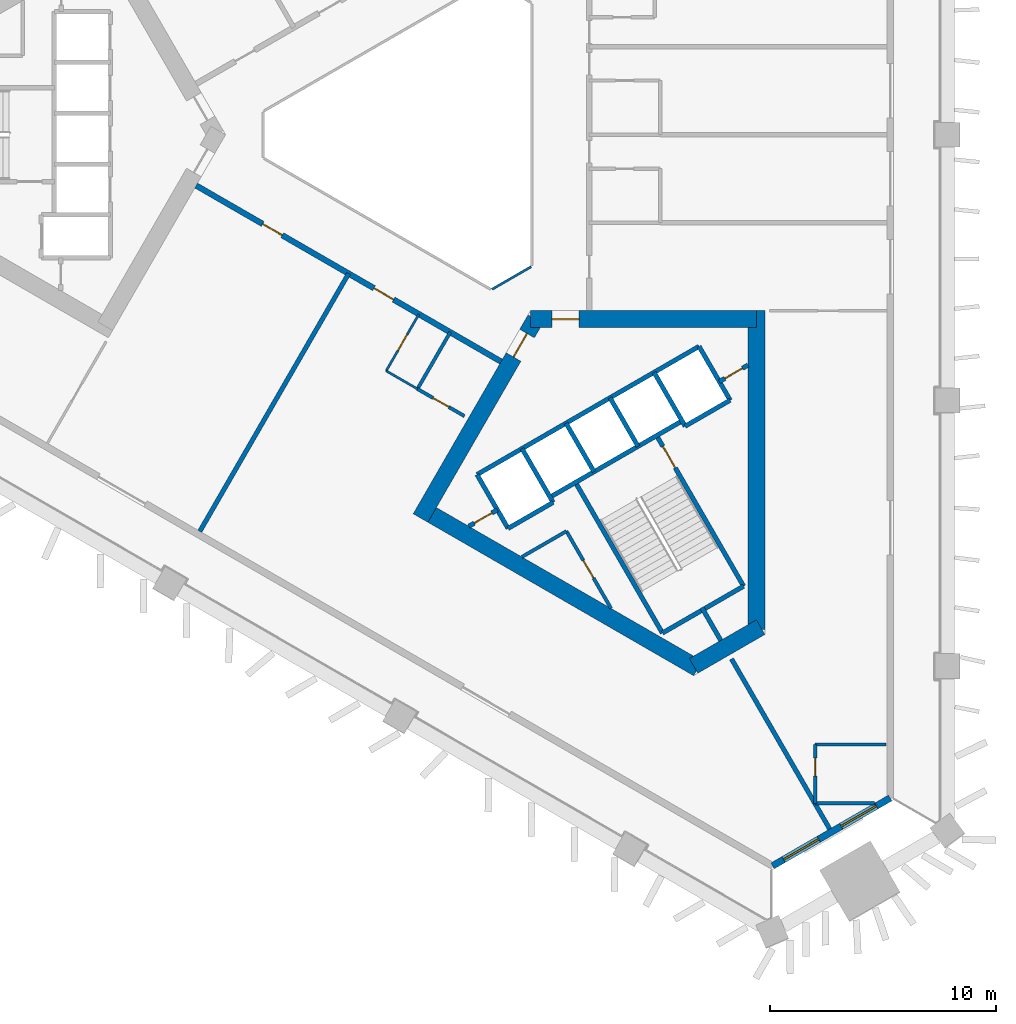
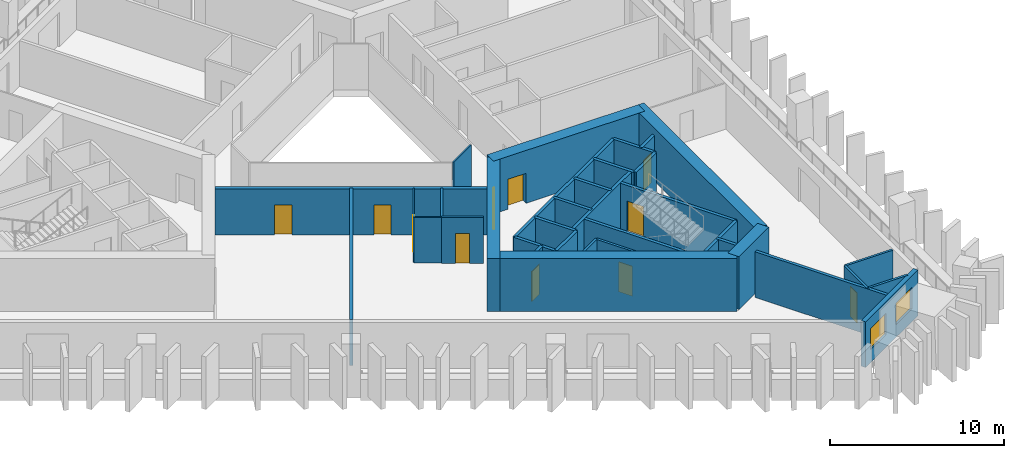
# One storey, part 3 of 11: 35 walls, 11 doors, 2 windows, 13 openings.
"""IFC4 building model written with IfcOpenShell, lengths in metres."""

from ifc_helpers import new_model, si_unit, direction, frame, frame_2d, origin, place, context, subcontext, project, spatial, rectangle, extrude, material, layer, layer_set, type_object, element, fill, save


model = new_model("IFC4")

# Units and contexts
model_context = context("Model", 3, precision=1e-05, world=origin(), true_north=direction((0.0, 1.0)))
body_context = subcontext(model_context, "Body", "Model", "MODEL_VIEW")
ifc_project = project(units=[si_unit("LENGTHUNIT", "METRE"), si_unit("AREAUNIT", "SQUARE_METRE"), si_unit("VOLUMEUNIT", "CUBIC_METRE"), si_unit("PLANEANGLEUNIT", "RADIAN"), si_unit("MASSUNIT", "GRAM", prefix="KILO")], contexts=[model_context])

# Site, building, storey
site_placement = place(None, origin())
site = spatial("IfcSite", under=ifc_project, at=site_placement, CompositionType="ELEMENT")
building_placement = place(site_placement, origin())
building = spatial("IfcBuilding", under=site, at=building_placement, Name="Jabali Bay Hotel Tower and Convention Centre", CompositionType="ELEMENT")
storey_placement = place(building_placement, frame((0.0, 0.0, 83.199951171875)))
storey = spatial("IfcBuildingStorey", under=building, at=storey_placement, Name="L19", CompositionType="ELEMENT", Elevation=83.199951171875)

# Walls
ifc_material_1 = material(Name="Fire-resistant glazing", Category="glass")
ifc_layer_1 = layer(ifc_material_1, 0.10009765625)
ifc_layer_set_1 = layer_set([ifc_layer_1], Name="Fire-resistant glazing")
wall_type_1 = type_object("IfcWallType", Name="Atrium glazed screen 100", PredefinedType="PARTITIONING", material=ifc_layer_set_1)
wall_1_placement = place(storey_placement, frame((77.7978515625, 73.15380859375, 0.0), z_axis=(0.0, 0.0, 1.0), x_axis=(0.866041268327, 0.499972520799, 0.0)))
element("IfcWall", 1, at=wall_1_placement, inside=storey, type_object=wall_type_1, Name="Atrium screen 6 L19", PredefinedType="PARTITIONING", context=body_context, shape_type="SweptSolid", body=[
    extrude(rectangle(XDim=2.0, YDim=0.10009765625, at=frame_2d((1.0, 0.0))), origin(), (0.0, 0.0, 1.0), 3.199951171875),
])
ifc_material_2 = material(Name="Concrete C40", Category="concrete")
ifc_layer_2 = layer(ifc_material_2, 0.199951171875)
ifc_layer_set_2 = layer_set([ifc_layer_2], Name="Concrete C40")
wall_type_2 = type_object("IfcWallType", Name="Core partition wall 200", PredefinedType="PARTITIONING", material=ifc_layer_set_2)
wall_2_placement = place(storey_placement, frame((87.090087890625, 59.0595703125, 0.0), z_axis=(0.0, 0.0, 1.0), x_axis=(0.499937194881, -0.866061661301, 0.0)))
element("IfcWall", 2, at=wall_2_placement, inside=storey, type_object=wall_type_2, Name="Core wall 2.5 L19", PredefinedType="PARTITIONING", context=body_context, shape_type="SweptSolid", body=[
    extrude(rectangle(XDim=1.673095703125, YDim=0.199951171875, at=frame_2d((0.83642578125, 0.0))), origin(), (0.0, 0.0, 1.0), 3.199951171875),
])

# Wall, opening, door
wall_3_placement = place(storey_placement, frame((76.77001953125, 62.662109375, 0.0), z_axis=(0.0, 0.0, 1.0), x_axis=(0.866054810376, 0.49994906283, 0.0)))
wall_3 = element("IfcWall", 3, at=wall_3_placement, inside=storey, type_object=wall_type_2, Name="Core wall 2.11 L19", PredefinedType="PARTITIONING", context=body_context, shape_type="SweptSolid", body=[
    extrude(rectangle(XDim=1.461181640625, YDim=0.199951171875, at=frame_2d((0.73046875, 0.0))), origin(), (0.0, 0.0, 1.0), 3.199951171875),
])
opening_1_placement = place(wall_3_placement, frame((0.280517578125, 0.0, 0.0)))
opening_1 = element("IfcOpeningElement", 4, at=opening_1_placement, cuts=wall_3, Name="Opening D471", PredefinedType="OPENING", context=body_context, shape_type="SweptSolid", body=[
    extrude(rectangle(XDim=0.89990234375, YDim=2.10009765625, at=frame_2d((0.449951171875, 1.050048828125))), frame((0.0, 0.1103515625, 0.0), z_axis=(0.0, -1.0, 0.0), x_axis=(1.0, 0.0, 0.0)), (0.0, 0.0, 1.0), 0.220947265625),
])
ifc_material_3 = material(Name="Fire-rated steel door", Category="steel")
door_type_1 = type_object("IfcDoorType", Name="Vestibule fire door 900 x 2100", OperationType="NOTDEFINED", PredefinedType="NOTDEFINED", material=ifc_material_3)
door_1_placement = place(opening_1_placement, origin())
door_1 = element("IfcDoor", 5, at=door_1_placement, inside=storey, type_object=door_type_1, Name="Vestibule fire door D471", OperationType="SINGLE_SWING_LEFT", OverallHeight=2.10009765625, OverallWidth=0.89990234375, PredefinedType="NOTDEFINED", context=body_context, shape_type="SweptSolid", body=[
    extrude(rectangle(XDim=0.89990234375, YDim=2.10009765625, at=frame_2d((0.449951171875, 1.050048828125))), frame((0.0, 0.02490234375, 0.0), z_axis=(0.0, -1.0, 0.0), x_axis=(1.0, 0.0, 0.0)), (0.0, 0.0, 1.0), 0.050048828125),
])
fill(opening_1, door_1)

wall_4_placement = place(storey_placement, frame((87.86474609375, 69.067626953125, 0.0), z_axis=(0.0, 0.0, 1.0), x_axis=(0.865982457891, 0.500074377092, 0.0)))
wall_4 = element("IfcWall", 6, at=wall_4_placement, inside=storey, type_object=wall_type_2, Name="Core wall 2.12 L19", PredefinedType="PARTITIONING", context=body_context, shape_type="SweptSolid", body=[
    extrude(rectangle(XDim=1.461181640625, YDim=0.199951171875, at=frame_2d((0.73046875, 0.0))), origin(), (0.0, 0.0, 1.0), 3.199951171875),
])
opening_2_placement = place(wall_4_placement, frame((0.280517578125, 0.0, 0.0)))
opening_2 = element("IfcOpeningElement", 7, at=opening_2_placement, cuts=wall_4, Name="Opening D470", PredefinedType="OPENING", context=body_context, shape_type="SweptSolid", body=[
    extrude(rectangle(XDim=0.89990234375, YDim=2.10009765625, at=frame_2d((0.449951171875, 1.050048828125))), frame((0.0, 0.1103515625, 0.0), z_axis=(0.0, -1.0, 0.0), x_axis=(1.0, 0.0, 0.0)), (0.0, 0.0, 1.0), 0.220947265625),
])
door_2_placement = place(opening_2_placement, origin())
door_2 = element("IfcDoor", 8, at=door_2_placement, inside=storey, type_object=door_type_1, Name="Vestibule fire door D470", OperationType="SINGLE_SWING_LEFT", OverallHeight=2.10009765625, OverallWidth=0.89990234375, PredefinedType="NOTDEFINED", context=body_context, shape_type="SweptSolid", body=[
    extrude(rectangle(XDim=0.89990234375, YDim=2.10009765625, at=frame_2d((0.449951171875, 1.050048828125))), frame((0.0, 0.02490234375, 0.0), z_axis=(0.0, -1.0, 0.0), x_axis=(1.0, 0.0, 0.0)), (0.0, 0.0, 1.0), 0.050048828125),
])
fill(opening_2, door_2)

ifc_material_4 = material(Name="Fire-rated board partition")
ifc_layer_3 = layer(ifc_material_4, 0.14990234375)
ifc_layer_set_3 = layer_set([ifc_layer_3], Name="Fire-rated board partition")
wall_type_3 = type_object("IfcWallType", Name="Core room partition 150", PredefinedType="PARTITIONING", material=ifc_layer_set_3)
wall_5_placement = place(storey_placement, frame((81.093994140625, 62.445068359375, 0.0), z_axis=(0.0, 0.0, 1.0), x_axis=(0.499990112884, -0.866031112038, 0.0)))
wall_5 = element("IfcWall", 9, at=wall_5_placement, inside=storey, type_object=wall_type_3, Name="Core wall 2.1 L19", PredefinedType="PARTITIONING", context=body_context, shape_type="SweptSolid", body=[
    extrude(rectangle(XDim=3.94775390625, YDim=0.14990234375, at=frame_2d((1.973876953125, 0.0))), origin(), (0.0, 0.0, 1.0), 3.199951171875),
])
opening_3_placement = place(wall_5_placement, frame((1.496337890625, 0.0, 0.0)))
opening_3 = element("IfcOpeningElement", 10, at=opening_3_placement, cuts=wall_5, Name="Opening D473", PredefinedType="OPENING", context=body_context, shape_type="SweptSolid", body=[
    extrude(rectangle(XDim=0.89990234375, YDim=2.10009765625, at=frame_2d((0.449951171875, 1.050048828125))), frame((0.0, 0.08544921875, 0.0), z_axis=(0.0, -1.0, 0.0), x_axis=(1.0, 0.0, 0.0)), (0.0, 0.0, 1.0), 0.1708984375),
])
door_type_2 = type_object("IfcDoorType", Name="Core room door 900 x 2100", OperationType="NOTDEFINED", PredefinedType="NOTDEFINED", material=ifc_material_3)
door_3_placement = place(opening_3_placement, origin())
door_3 = element("IfcDoor", 11, at=door_3_placement, inside=storey, type_object=door_type_2, Name="Core room door D473", OperationType="SINGLE_SWING_LEFT", OverallHeight=2.10009765625, OverallWidth=0.89990234375, PredefinedType="NOTDEFINED", context=body_context, shape_type="SweptSolid", body=[
    extrude(rectangle(XDim=0.89990234375, YDim=2.10009765625, at=frame_2d((0.449951171875, 1.050048828125))), frame((0.0, 0.02490234375, 0.0), z_axis=(0.0, -1.0, 0.0), x_axis=(1.0, 0.0, 0.0)), (0.0, 0.0, 1.0), 0.050048828125),
])
fill(opening_3, door_3)

# Walls
wall_6_placement = place(storey_placement, frame((79.119873046875, 61.305419921875, 0.0), z_axis=(0.0, 0.0, 1.0), x_axis=(0.866046471269, 0.499963508271, 0.0)))
element("IfcWall", 12, at=wall_6_placement, inside=storey, type_object=wall_type_3, Name="Core wall 2.16 L19", PredefinedType="PARTITIONING", context=body_context, shape_type="SweptSolid", body=[
    extrude(rectangle(XDim=2.279541015625, YDim=0.14990234375, at=frame_2d((1.1396484375, 0.0))), origin(), (0.0, 0.0, 1.0), 3.199951171875),
])
ifc_layer_4 = layer(ifc_material_2, 0.199951171875)
ifc_layer_set_4 = layer_set([ifc_layer_4], Name="Concrete C40")
wall_type_4 = type_object("IfcWallType", Name="Core stair wall 200", PredefinedType="SOLIDWALL", material=ifc_layer_set_4)
for number, where, z_axis, x_axis, name in (
    (13, (77.13525390625, 64.95166015625, 0.0), (0.0, 0.0, 1.0), (0.499996545922, -0.866027397988, 0.0), "Core wall 2.0 L19"),
    (14, (79.127197265625, 66.1015625, 0.0), (0.0, 0.0, 1.0), (0.499996545922, -0.866027397988, 0.0), "Core wall 2.2 L19"),
):
    element("IfcWall", number, at=place(storey_placement, frame(where, z_axis=z_axis, x_axis=x_axis)), inside=storey, type_object=wall_type_4, Name=name, PredefinedType="SOLIDWALL", context=body_context, shape_type="SweptSolid", body=[
        extrude(rectangle(XDim=2.75, YDim=0.199951171875, at=frame_2d((1.375, 0.0))), origin(), (0.0, 0.0, 1.0), 3.199951171875),
    ])
wall_7_placement = place(storey_placement, frame((81.492919921875, 64.603759765625, 0.0), z_axis=(0.0, 0.0, 1.0), x_axis=(0.500006057782, -0.866021906294, 0.0)))
element("IfcWall", 15, at=wall_7_placement, inside=storey, type_object=wall_type_4, Name="Core wall 2.3 L19", PredefinedType="SOLIDWALL", context=body_context, shape_type="SweptSolid", body=[
    extrude(rectangle(XDim=7.7001953125, YDim=0.199951171875, at=frame_2d((3.85009765625, 0.0))), origin(), (0.0, 0.0, 1.0), 3.199951171875),
])
for number, where, z_axis, x_axis, name in (
    (16, (81.07568359375, 67.2265625, 0.0), (0.0, 0.0, 1.0), (0.50000366821, -0.866023285932, 0.0), "Core wall 2.4 L19"),
    (17, (83.024169921875, 68.3515625, 0.0), (0.0, 0.0, 1.0), (0.50000366821, -0.866023285932, 0.0), "Core wall 2.6 L19"),
):
    element("IfcWall", number, at=place(storey_placement, frame(where, z_axis=z_axis, x_axis=x_axis)), inside=storey, type_object=wall_type_4, Name=name, PredefinedType="SOLIDWALL", context=body_context, shape_type="SweptSolid", body=[
        extrude(rectangle(XDim=2.47998046875, YDim=0.199951171875, at=frame_2d((1.239990234375, 0.0))), origin(), (0.0, 0.0, 1.0), 3.199951171875),
    ])

# Wall, opening, door
wall_8_placement = place(storey_placement, frame((85.0869140625, 66.6787109375, 0.0), z_axis=(0.0, 0.0, 1.0), x_axis=(0.500019787375, -0.866013979237, 0.0)))
wall_8 = element("IfcWall", 18, at=wall_8_placement, inside=storey, type_object=wall_type_4, Name="Core wall 2.7 L19", PredefinedType="SOLIDWALL", context=body_context, shape_type="SweptSolid", body=[
    extrude(rectangle(XDim=7.699951171875, YDim=0.199951171875, at=frame_2d((3.85009765625, 0.0))), origin(), (0.0, 0.0, 1.0), 3.199951171875),
])
opening_4_placement = place(wall_8_placement, frame((0.550048828125, 0.0, 0.0)))
opening_4 = element("IfcOpeningElement", 19, at=opening_4_placement, cuts=wall_8, Name="Opening D472", PredefinedType="OPENING", context=body_context, shape_type="SweptSolid", body=[
    extrude(rectangle(XDim=1.10009765625, YDim=2.10009765625, at=frame_2d((0.550048828125, 1.050048828125))), frame((0.0, 0.1103515625, 0.0), z_axis=(0.0, -1.0, 0.0), x_axis=(1.0, 0.0, 0.0)), (0.0, 0.0, 1.0), 0.220947265625),
])
door_type_3 = type_object("IfcDoorType", Name="Stair fire door 1100 x 2100", OperationType="NOTDEFINED", PredefinedType="NOTDEFINED", material=ifc_material_3)
door_4_placement = place(opening_4_placement, origin())
door_4 = element("IfcDoor", 20, at=door_4_placement, inside=storey, type_object=door_type_3, Name="Stair fire door D472", OperationType="SINGLE_SWING_RIGHT", OverallHeight=2.10009765625, OverallWidth=1.10009765625, PredefinedType="NOTDEFINED", context=body_context, shape_type="SweptSolid", body=[
    extrude(rectangle(XDim=1.10009765625, YDim=2.10009765625, at=frame_2d((0.550048828125, 1.050048828125))), frame((0.0, 0.02490234375, 0.0), z_axis=(0.0, -1.0, 0.0), x_axis=(1.0, 0.0, 0.0)), (0.0, 0.0, 1.0), 0.050048828125),
])
fill(opening_4, door_4)

# Walls
for number, where, z_axis, x_axis, name in (
    (21, (84.972900390625, 69.4765625, 0.0), (0.0, 0.0, 1.0), (0.499996545922, -0.866027397988, 0.0), "Core wall 2.8 L19"),
    (22, (86.964599609375, 70.62646484375, 0.0), (0.0, 0.0, 1.0), (0.499996545922, -0.866027397988, 0.0), "Core wall 2.9 L19"),
):
    element("IfcWall", number, at=place(storey_placement, frame(where, z_axis=z_axis, x_axis=x_axis)), inside=storey, type_object=wall_type_4, Name=name, PredefinedType="SOLIDWALL", context=body_context, shape_type="SweptSolid", body=[
        extrude(rectangle(XDim=2.75, YDim=0.199951171875, at=frame_2d((1.375, 0.0))), origin(), (0.0, 0.0, 1.0), 3.199951171875),
    ])
wall_9_placement = place(storey_placement, frame((77.13525390625, 64.95166015625, 0.0), z_axis=(0.0, 0.0, 1.0), x_axis=(0.866031916153, 0.499988720078, 0.0)))
element("IfcWall", 23, at=wall_9_placement, inside=storey, type_object=wall_type_4, Name="Core wall 2.10 L19", PredefinedType="SOLIDWALL", context=body_context, shape_type="SweptSolid", body=[
    extrude(rectangle(XDim=11.349853515625, YDim=0.199951171875, at=frame_2d((5.6748046875, 0.0))), origin(), (0.0, 0.0, 1.0), 3.199951171875),
])
wall_10_placement = place(storey_placement, frame((80.3671875, 63.953857421875, 0.0), z_axis=(0.0, 0.0, 1.0), x_axis=(0.866026575979, 0.499997969693, 0.0)))
element("IfcWall", 24, at=wall_10_placement, inside=storey, type_object=wall_type_4, Name="Core wall 2.13 L19", PredefinedType="SOLIDWALL", context=body_context, shape_type="SweptSolid", body=[
    extrude(rectangle(XDim=6.75, YDim=0.199951171875, at=frame_2d((3.375, 0.0))), origin(), (0.0, 0.0, 1.0), 3.199951171875),
])
wall_11_placement = place(storey_placement, frame((78.51025390625, 62.570068359375, 0.0), z_axis=(0.0, 0.0, 1.0), x_axis=(0.866053019151, 0.499952165731, 0.0)))
element("IfcWall", 25, at=wall_11_placement, inside=storey, type_object=wall_type_4, Name="Core wall 2.14 L19", PredefinedType="SOLIDWALL", context=body_context, shape_type="SweptSolid", body=[
    extrude(rectangle(XDim=2.300048828125, YDim=0.199951171875, at=frame_2d((1.14990234375, 0.0))), origin(), (0.0, 0.0, 1.0), 3.199951171875),
])
wall_12_placement = place(storey_placement, frame((86.347900390625, 67.094970703125, 0.0), z_axis=(0.0, 0.0, 1.0), x_axis=(0.86602648383, 0.499998129301, 0.0)))
element("IfcWall", 26, at=wall_12_placement, inside=storey, type_object=wall_type_4, Name="Core wall 2.15 L19", PredefinedType="SOLIDWALL", context=body_context, shape_type="SweptSolid", body=[
    extrude(rectangle(XDim=2.2998046875, YDim=0.199951171875, at=frame_2d((1.14990234375, 0.0))), origin(), (0.0, 0.0, 1.0), 3.199951171875),
])
wall_13_placement = place(storey_placement, frame((85.343017578125, 57.935302734375, 0.0), z_axis=(0.0, 0.0, 1.0), x_axis=(0.866004344652, 0.500036473714, 0.0)))
element("IfcWall", 27, at=wall_13_placement, inside=storey, type_object=wall_type_4, Name="Core wall 2.17 L19", PredefinedType="SOLIDWALL", context=body_context, shape_type="SweptSolid", body=[
    extrude(rectangle(XDim=4.150146484375, YDim=0.199951171875, at=frame_2d((2.0751953125, 0.0))), origin(), (0.0, 0.0, 1.0), 3.199951171875),
])

# Wall, opening, door
ifc_material_5 = material(Name="Concrete C60", Category="concrete")
ifc_layer_5 = layer(ifc_material_5, 0.75)
ifc_layer_set_5 = layer_set([ifc_layer_5], Name="Concrete C60")
wall_type_5 = type_object("IfcWallType", Name="Core wall 750", PredefinedType="SHEAR", material=ifc_layer_set_5)
wall_14_placement = place(storey_placement, frame((79.716552734375, 71.830810546875, 0.0), z_axis=(0.0, 0.0, 1.0), x_axis=(-0.499996230114, -0.866027580318, 0.0)))
wall_14 = element("IfcWall", 28, at=wall_14_placement, inside=storey, type_object=wall_type_5, Name="Core wall 3.1 L19", PredefinedType="SHEAR", context=body_context, shape_type="SweptSolid", body=[
    extrude(rectangle(XDim=10.16357421875, YDim=0.75, at=frame_2d((5.081787109375, 0.0))), origin(), (0.0, 0.0, 1.0), 3.699951171875),
])
opening_5_placement = place(wall_14_placement, frame((0.7333984375, 0.0, 0.0)))
opening_5 = element("IfcOpeningElement", 29, at=opening_5_placement, cuts=wall_14, Name="Opening D468", PredefinedType="OPENING", context=body_context, shape_type="SweptSolid", body=[
    extrude(rectangle(XDim=1.199951171875, YDim=2.10009765625, at=frame_2d((0.60009765625, 1.050048828125))), frame((0.0, 0.385498046875, 0.0), z_axis=(0.0, -1.0, 0.0), x_axis=(1.0, 0.0, 0.0)), (0.0, 0.0, 1.0), 0.77099609375),
])
door_type_4 = type_object("IfcDoorType", Name="Corridor end fire door 1200 x 2100", OperationType="NOTDEFINED", PredefinedType="NOTDEFINED", material=ifc_material_3)
door_5_placement = place(opening_5_placement, origin())
door_5 = element("IfcDoor", 30, at=door_5_placement, inside=storey, type_object=door_type_4, Name="Corridor end fire door D468", OperationType="SINGLE_SWING_RIGHT", OverallHeight=2.10009765625, OverallWidth=1.199951171875, PredefinedType="NOTDEFINED", context=body_context, shape_type="SweptSolid", body=[
    extrude(rectangle(XDim=1.199951171875, YDim=2.10009765625, at=frame_2d((0.60009765625, 1.050048828125))), frame((0.0, 0.02490234375, 0.0), z_axis=(0.0, -1.0, 0.0), x_axis=(1.0, 0.0, 0.0)), (0.0, 0.0, 1.0), 0.050048828125),
])
fill(opening_5, door_5)

# Walls
wall_15_placement = place(storey_placement, frame((74.822265625, 63.353759765625, 0.0), z_axis=(0.0, 0.0, 1.0), x_axis=(0.8660248072, -0.500001033313, 0.0)))
element("IfcWall", 31, at=wall_15_placement, inside=storey, type_object=wall_type_5, Name="Core wall 3.2 L19", PredefinedType="SHEAR", context=body_context, shape_type="SweptSolid", body=[
    extrude(rectangle(XDim=13.95849609375, YDim=0.75, at=frame_2d((6.979248046875, 0.0))), origin(), (0.0, 0.0, 1.0), 3.699951171875),
])
wall_16_placement = place(storey_placement, frame((86.72314453125, 56.482666015625, 0.0), z_axis=(0.0, 0.0, 1.0), x_axis=(0.866017201164, 0.500014207086, 0.0)))
element("IfcWall", 32, at=wall_16_placement, inside=storey, type_object=wall_type_5, Name="Core wall 3.3 L19", PredefinedType="SHEAR", context=body_context, shape_type="SweptSolid", body=[
    extrude(rectangle(XDim=3.4287109375, YDim=0.75, at=frame_2d((1.71435546875, 0.0))), origin(), (0.0, 0.0, 1.0), 3.699951171875),
])
wall_17_placement = place(storey_placement, frame((89.5048828125, 58.0888671875, 0.0), z_axis=(0.0, 0.0, 1.0), x_axis=(0.0, 1.0, 0.0)))
element("IfcWall", 33, at=wall_17_placement, inside=storey, type_object=wall_type_5, Name="Core wall 3.4 L19", PredefinedType="SHEAR", context=body_context, shape_type="SweptSolid", body=[
    extrude(rectangle(XDim=14.116943359375, YDim=0.75, at=frame_2d((7.05859375, 0.0))), origin(), (0.0, 0.0, 1.0), 3.699951171875),
])

# Wall, opening, door
wall_18_placement = place(storey_placement, frame((89.5048828125, 71.830810546875, 0.0), z_axis=(0.0, 0.0, 1.0), x_axis=(-1.0, 0.0, 0.0)))
wall_18 = element("IfcWall", 34, at=wall_18_placement, inside=storey, type_object=wall_type_5, Name="Core wall 3.5 L19", PredefinedType="SHEAR", context=body_context, shape_type="SweptSolid", body=[
    extrude(rectangle(XDim=10.0048828125, YDim=0.75, at=frame_2d((5.00244140625, 0.0))), origin(), (0.0, 0.0, 1.0), 3.699951171875),
])
opening_6_placement = place(wall_18_placement, frame((7.85498046875, 0.0, 0.0)))
opening_6 = element("IfcOpeningElement", 35, at=opening_6_placement, cuts=wall_18, Name="Opening D469", PredefinedType="OPENING", context=body_context, shape_type="SweptSolid", body=[
    extrude(rectangle(XDim=1.199951171875, YDim=2.10009765625, at=frame_2d((0.60009765625, 1.050048828125))), frame((0.0, 0.385498046875, 0.0), z_axis=(0.0, -1.0, 0.0), x_axis=(1.0, 0.0, 0.0)), (0.0, 0.0, 1.0), 0.77099609375),
])
door_6_placement = place(opening_6_placement, origin())
door_6 = element("IfcDoor", 36, at=door_6_placement, inside=storey, type_object=door_type_4, Name="Corridor end fire door D469", OperationType="SINGLE_SWING_LEFT", OverallHeight=2.10009765625, OverallWidth=1.199951171875, PredefinedType="NOTDEFINED", context=body_context, shape_type="SweptSolid", body=[
    extrude(rectangle(XDim=1.199951171875, YDim=2.10009765625, at=frame_2d((0.60009765625, 1.050048828125))), frame((0.0, 0.02490234375, 0.0), z_axis=(0.0, -1.0, 0.0), x_axis=(1.0, 0.0, 0.0)), (0.0, 0.0, 1.0), 0.050048828125),
])
fill(opening_6, door_6)

# Wall, openings, doors
ifc_layer_6 = layer(ifc_material_5, 0.25)
ifc_layer_set_6 = layer_set([ifc_layer_6], Name="Concrete C60")
wall_type_6 = type_object("IfcWallType", Name="Corridor wall 250", PredefinedType="SHEAR", material=ifc_layer_set_6)
wall_19_placement = place(storey_placement, frame((64.699951171875, 77.748291015625, 0.0), z_axis=(0.0, 0.0, 1.0), x_axis=(0.866026492143, -0.499998114903, 0.0)))
wall_19 = element("IfcWall", 37, at=wall_19_placement, inside=storey, type_object=wall_type_6, Name="Corridor wall 3 L19", PredefinedType="SHEAR", context=body_context, shape_type="SweptSolid", body=[
    extrude(rectangle(XDim=15.58837890625, YDim=0.25, at=frame_2d((7.794189453125, 0.0))), origin(), (0.0, 0.0, 1.0), 3.199951171875),
])
opening_7_placement = place(wall_19_placement, frame((3.397216796875, 0.0, 0.0)))
opening_7 = element("IfcOpeningElement", 38, at=opening_7_placement, cuts=wall_19, Name="Opening 1918", PredefinedType="OPENING", context=body_context, shape_type="SweptSolid", body=[
    extrude(rectangle(XDim=1.0, YDim=2.10009765625, at=frame_2d((0.5, 1.050048828125))), frame((0.0, 0.135498046875, 0.0), z_axis=(0.0, -1.0, 0.0), x_axis=(1.0, 0.0, 0.0)), (0.0, 0.0, 1.0), 0.27099609375),
])
opening_8_placement = place(wall_19_placement, frame((9.09130859375, 0.0, 0.0)))
opening_8 = element("IfcOpeningElement", 39, at=opening_8_placement, cuts=wall_19, Name="Opening 1923", PredefinedType="OPENING", context=body_context, shape_type="SweptSolid", body=[
    extrude(rectangle(XDim=1.0, YDim=2.10009765625, at=frame_2d((0.5, 1.050048828125))), frame((0.0, 0.135498046875, 0.0), z_axis=(0.0, -1.0, 0.0), x_axis=(1.0, 0.0, 0.0)), (0.0, 0.0, 1.0), 0.27099609375),
])
ifc_material_6 = material(Name="Timber", Category="wood")
door_type_5 = type_object("IfcDoorType", Name="Guest room door 1000 x 2100", OperationType="NOTDEFINED", PredefinedType="NOTDEFINED", material=ifc_material_6)
door_7_placement = place(opening_7_placement, origin())
door_7 = element("IfcDoor", 40, at=door_7_placement, inside=storey, type_object=door_type_5, Name="Door 1918", OperationType="SINGLE_SWING_LEFT", OverallHeight=2.10009765625, OverallWidth=1.0, PredefinedType="NOTDEFINED", context=body_context, shape_type="SweptSolid", body=[
    extrude(rectangle(XDim=1.0, YDim=2.10009765625, at=frame_2d((0.5, 1.050048828125))), frame((0.0, 0.02490234375, 0.0), z_axis=(0.0, -1.0, 0.0), x_axis=(1.0, 0.0, 0.0)), (0.0, 0.0, 1.0), 0.050048828125),
])
fill(opening_7, door_7)
door_8_placement = place(opening_8_placement, origin())
door_8 = element("IfcDoor", 41, at=door_8_placement, inside=storey, type_object=door_type_5, Name="Door 1923", OperationType="SINGLE_SWING_RIGHT", OverallHeight=2.10009765625, OverallWidth=1.0, PredefinedType="NOTDEFINED", context=body_context, shape_type="SweptSolid", body=[
    extrude(rectangle(XDim=1.0, YDim=2.10009765625, at=frame_2d((0.5, 1.050048828125))), frame((0.0, 0.02490234375, 0.0), z_axis=(0.0, -1.0, 0.0), x_axis=(1.0, 0.0, 0.0)), (0.0, 0.0, 1.0), 0.050048828125),
])
fill(opening_8, door_8)

# Wall, openings, windows
ifc_layer_7 = layer(ifc_material_2, 0.300048828125)
ifc_layer_set_7 = layer_set([ifc_layer_7], Name="Concrete C40")
wall_type_7 = type_object("IfcWallType", Name="External wall 300", PredefinedType="SOLIDWALL", material=ifc_layer_set_7)
wall_20_placement = place(storey_placement, frame((95.426025390625, 50.631591796875, 0.0), z_axis=(0.0, 0.0, 1.0), x_axis=(-0.866027298819, -0.49999671769, 0.0)))
wall_20 = element("IfcWall", 42, at=wall_20_placement, inside=storey, type_object=wall_type_7, Name="External wall south-east chamfer L19", PredefinedType="SOLIDWALL", context=body_context, shape_type="SweptSolid", body=[
    extrude(rectangle(XDim=6.01025390625, YDim=0.300048828125, at=frame_2d((3.005126953125, 0.0))), origin(), (0.0, 0.0, 1.0), 3.199951171875),
])
opening_9_placement = place(wall_20_placement, frame((0.70458984375, 0.0, 0.89990234375)))
opening_9 = element("IfcOpeningElement", 43, at=opening_9_placement, cuts=wall_20, Name="Opening W1", PredefinedType="OPENING", context=body_context, shape_type="SweptSolid", body=[
    extrude(rectangle(XDim=1.800048828125, YDim=1.5, at=frame_2d((0.89990234375, 0.75))), frame((0.0, 0.16064453125, 0.0), z_axis=(0.0, -1.0, 0.0), x_axis=(1.0, 0.0, 0.0)), (0.0, 0.0, 1.0), 0.321044921875),
])
opening_10_placement = place(wall_20_placement, frame((3.650634765625, 0.0, 0.89990234375)))
opening_10 = element("IfcOpeningElement", 44, at=opening_10_placement, cuts=wall_20, Name="Opening W1", PredefinedType="OPENING", context=body_context, shape_type="SweptSolid", body=[
    extrude(rectangle(XDim=1.800048828125, YDim=1.5, at=frame_2d((0.89990234375, 0.75))), frame((0.0, 0.16064453125, 0.0), z_axis=(0.0, -1.0, 0.0), x_axis=(1.0, 0.0, 0.0)), (0.0, 0.0, 1.0), 0.321044921875),
])
ifc_material_7 = material(Name="Glass", Category="glass")
window_type = type_object("IfcWindowType", Name="Window 1800 x 1500", PartitioningType="SINGLE_PANEL", PredefinedType="WINDOW", material=ifc_material_7)
window_1_placement = place(opening_9_placement, origin())
window_1 = element("IfcWindow", 45, at=window_1_placement, inside=storey, type_object=window_type, Name="Window 1901", OverallHeight=1.5, OverallWidth=1.800048828125, PartitioningType="SINGLE_PANEL", PredefinedType="WINDOW", context=body_context, shape_type="SweptSolid", body=[
    extrude(rectangle(XDim=1.800048828125, YDim=1.5, at=frame_2d((0.89990234375, 0.75))), frame((0.0, 0.030029296875, 0.0), z_axis=(0.0, -1.0, 0.0), x_axis=(1.0, 0.0, 0.0)), (0.0, 0.0, 1.0), 0.06005859375),
])
fill(opening_9, window_1)
window_2_placement = place(opening_10_placement, origin())
window_2 = element("IfcWindow", 46, at=window_2_placement, inside=storey, type_object=window_type, Name="Window 1909", OverallHeight=1.5, OverallWidth=1.800048828125, PartitioningType="SINGLE_PANEL", PredefinedType="WINDOW", context=body_context, shape_type="SweptSolid", body=[
    extrude(rectangle(XDim=1.800048828125, YDim=1.5, at=frame_2d((0.89990234375, 0.75))), frame((0.0, 0.030029296875, 0.0), z_axis=(0.0, -1.0, 0.0), x_axis=(1.0, 0.0, 0.0)), (0.0, 0.0, 1.0), 0.06005859375),
])
fill(opening_10, window_2)

# Wall
ifc_material_8 = material(Name="Plasterboard on steel stud", Category="steel")
ifc_layer_8 = layer(ifc_material_8, 0.10009765625)
ifc_layer_set_8 = layer_set([ifc_layer_8], Name="Plasterboard on steel stud")
wall_type_8 = type_object("IfcWallType", Name="Partition 100 unit", PredefinedType="PARTITIONING", material=ifc_layer_set_8)
wall_21_placement = place(storey_placement, frame((74.498291015625, 68.74267578125, 0.0), z_axis=(0.0, 0.0, 1.0), x_axis=(-0.865989903783, 0.500061482766, 0.0)))
element("IfcWall", 47, at=wall_21_placement, inside=storey, type_object=wall_type_8, Name="Partition P02 L19 037", PredefinedType="PARTITIONING", context=body_context, shape_type="SweptSolid", body=[
    extrude(rectangle(XDim=1.599853515625, YDim=0.10009765625, at=frame_2d((0.7998046875, 0.0))), origin(), (0.0, 0.0, 1.0), 3.199951171875),
])

# Wall, opening, door
wall_22_placement = place(storey_placement, frame((73.11279296875, 69.542724609375, 0.0), z_axis=(0.0, 0.0, 1.0), x_axis=(0.499987231761, 0.866032775405, 0.0)))
wall_22 = element("IfcWall", 48, at=wall_22_placement, inside=storey, type_object=wall_type_8, Name="Partition P02 L19 038", PredefinedType="PARTITIONING", context=body_context, shape_type="SweptSolid", body=[
    extrude(rectangle(XDim=2.89990234375, YDim=0.10009765625, at=frame_2d((1.449951171875, 0.0))), origin(), (0.0, 0.0, 1.0), 3.199951171875),
])
opening_11_placement = place(wall_22_placement, frame((1.050048828125, 0.0, 0.0)))
opening_11 = element("IfcOpeningElement", 49, at=opening_11_placement, cuts=wall_22, Name="Opening 1922", PredefinedType="OPENING", context=body_context, shape_type="SweptSolid", body=[
    extrude(rectangle(XDim=0.800048828125, YDim=2.10009765625, at=frame_2d((0.39990234375, 1.050048828125))), frame((0.0, 0.060546875, 0.0), z_axis=(0.0, -1.0, 0.0), x_axis=(1.0, 0.0, 0.0)), (0.0, 0.0, 1.0), 0.12109375),
])
door_type_6 = type_object("IfcDoorType", Name="Dressing room door 800 x 2100", OperationType="NOTDEFINED", PredefinedType="NOTDEFINED", material=ifc_material_6)
door_9_placement = place(opening_11_placement, origin())
door_9 = element("IfcDoor", 50, at=door_9_placement, inside=storey, type_object=door_type_6, Name="Door 1922", OperationType="SINGLE_SWING_RIGHT", OverallHeight=2.10009765625, OverallWidth=0.800048828125, PredefinedType="NOTDEFINED", context=body_context, shape_type="SweptSolid", body=[
    extrude(rectangle(XDim=0.800048828125, YDim=2.10009765625, at=frame_2d((0.39990234375, 1.050048828125))), frame((0.0, 0.02490234375, 0.0), z_axis=(0.0, -1.0, 0.0), x_axis=(1.0, 0.0, 0.0)), (0.0, 0.0, 1.0), 0.050048828125),
])
fill(opening_11, door_9)

# Wall
ifc_layer_9 = layer(ifc_material_8, 0.14990234375)
ifc_layer_set_9 = layer_set([ifc_layer_9], Name="Plasterboard on steel stud")
wall_type_9 = type_object("IfcWallType", Name="Partition 150 wet", PredefinedType="PARTITIONING", material=ifc_layer_set_9)
wall_23_placement = place(storey_placement, frame((94.725341796875, 50.399169921875, 0.0), z_axis=(0.0, 0.0, 1.0), x_axis=(-1.0, 0.0, 0.0)))
element("IfcWall", 51, at=wall_23_placement, inside=storey, type_object=wall_type_9, Name="Partition P03 L19 004", PredefinedType="PARTITIONING", context=body_context, shape_type="SweptSolid", body=[
    extrude(rectangle(XDim=2.623779296875, YDim=0.14990234375, at=frame_2d((1.31201171875, 0.0))), origin(), (0.0, 0.0, 1.0), 3.199951171875),
])

# Wall, opening, door
wall_24_placement = place(storey_placement, frame((92.1015625, 50.399169921875, 0.0), z_axis=(0.0, 0.0, 1.0), x_axis=(0.0, 1.0, 0.0)))
wall_24 = element("IfcWall", 52, at=wall_24_placement, inside=storey, type_object=wall_type_9, Name="Partition P03 L19 005", PredefinedType="PARTITIONING", context=body_context, shape_type="SweptSolid", body=[
    extrude(rectangle(XDim=2.599853515625, YDim=0.14990234375, at=frame_2d((1.2998046875, 0.0))), origin(), (0.0, 0.0, 1.0), 3.199951171875),
])
opening_12_placement = place(wall_24_placement, frame((1.199951171875, 0.0, 0.0)))
opening_12 = element("IfcOpeningElement", 53, at=opening_12_placement, cuts=wall_24, Name="Opening 1903", PredefinedType="OPENING", context=body_context, shape_type="SweptSolid", body=[
    extrude(rectangle(XDim=0.800048828125, YDim=2.10009765625, at=frame_2d((0.39990234375, 1.050048828125))), frame((0.0, 0.08544921875, 0.0), z_axis=(0.0, -1.0, 0.0), x_axis=(1.0, 0.0, 0.0)), (0.0, 0.0, 1.0), 0.1708984375),
])
door_type_7 = type_object("IfcDoorType", Name="En-suite door 800 x 2100", OperationType="NOTDEFINED", PredefinedType="NOTDEFINED", material=ifc_material_6)
door_10_placement = place(opening_12_placement, origin())
door_10 = element("IfcDoor", 54, at=door_10_placement, inside=storey, type_object=door_type_7, Name="Door 1903", OperationType="SINGLE_SWING_RIGHT", OverallHeight=2.10009765625, OverallWidth=0.800048828125, PredefinedType="NOTDEFINED", context=body_context, shape_type="SweptSolid", body=[
    extrude(rectangle(XDim=0.800048828125, YDim=2.10009765625, at=frame_2d((0.39990234375, 1.050048828125))), frame((0.0, 0.02490234375, 0.0), z_axis=(0.0, -1.0, 0.0), x_axis=(1.0, 0.0, 0.0)), (0.0, 0.0, 1.0), 0.050048828125),
])
fill(opening_12, door_10)

# Wall
wall_25_placement = place(storey_placement, frame((92.1015625, 52.9990234375, 0.0), z_axis=(0.0, 0.0, 1.0), x_axis=(1.0, 0.0, 0.0)))
element("IfcWall", 55, at=wall_25_placement, inside=storey, type_object=wall_type_9, Name="Partition P03 L19 006", PredefinedType="PARTITIONING", context=body_context, shape_type="SweptSolid", body=[
    extrude(rectangle(XDim=3.13427734375, YDim=0.14990234375, at=frame_2d((1.567138671875, 0.0))), origin(), (0.0, 0.0, 1.0), 3.199951171875),
])

# Wall, opening, door
wall_26_placement = place(storey_placement, frame((76.57763671875, 67.542236328125, 0.0), z_axis=(0.0, 0.0, 1.0), x_axis=(-0.866038271014, 0.499977712642, 0.0)))
wall_26 = element("IfcWall", 56, at=wall_26_placement, inside=storey, type_object=wall_type_9, Name="Partition P03 L19 036", PredefinedType="PARTITIONING", context=body_context, shape_type="SweptSolid", body=[
    extrude(rectangle(XDim=2.40087890625, YDim=0.14990234375, at=frame_2d((1.200439453125, 0.0))), origin(), (0.0, 0.0, 1.0), 3.199951171875),
])
opening_13_placement = place(wall_26_placement, frame((0.801025390625, 0.0, 0.0)))
opening_13 = element("IfcOpeningElement", 57, at=opening_13_placement, cuts=wall_26, Name="Opening 1921", PredefinedType="OPENING", context=body_context, shape_type="SweptSolid", body=[
    extrude(rectangle(XDim=0.800048828125, YDim=2.10009765625, at=frame_2d((0.39990234375, 1.050048828125))), frame((0.0, 0.08544921875, 0.0), z_axis=(0.0, -1.0, 0.0), x_axis=(1.0, 0.0, 0.0)), (0.0, 0.0, 1.0), 0.1708984375),
])
door_11_placement = place(opening_13_placement, origin())
door_11 = element("IfcDoor", 58, at=door_11_placement, inside=storey, type_object=door_type_7, Name="Door 1921", OperationType="SINGLE_SWING_LEFT", OverallHeight=2.10009765625, OverallWidth=0.800048828125, PredefinedType="NOTDEFINED", context=body_context, shape_type="SweptSolid", body=[
    extrude(rectangle(XDim=0.800048828125, YDim=2.10009765625, at=frame_2d((0.39990234375, 1.050048828125))), frame((0.0, 0.02490234375, 0.0), z_axis=(0.0, -1.0, 0.0), x_axis=(1.0, 0.0, 0.0)), (0.0, 0.0, 1.0), 0.050048828125),
])
fill(opening_13, door_11)

# Walls
wall_27_placement = place(storey_placement, frame((75.9482421875, 71.254150390625, 0.0), z_axis=(0.0, 0.0, 1.0), x_axis=(-0.499987231761, -0.866032775405, 0.0)))
element("IfcWall", 59, at=wall_27_placement, inside=storey, type_object=wall_type_9, Name="Partition P03 L19 039", PredefinedType="PARTITIONING", context=body_context, shape_type="SweptSolid", body=[
    extrude(rectangle(XDim=2.89990234375, YDim=0.14990234375, at=frame_2d((1.449951171875, 0.0))), origin(), (0.0, 0.0, 1.0), 3.199951171875),
])
ifc_layer_10 = layer(ifc_material_8, 0.199951171875)
ifc_layer_set_10 = layer_set([ifc_layer_10], Name="Plasterboard on steel stud")
wall_type_10 = type_object("IfcWallType", Name="Partition 200 party", PredefinedType="PARTITIONING", material=ifc_layer_set_10)
wall_28_placement = place(storey_placement, frame((88.40185546875, 56.789306640625, 0.0), z_axis=(0.0, 0.0, 1.0), x_axis=(0.500001128573, -0.866024752202, 0.0)))
element("IfcWall", 60, at=wall_28_placement, inside=storey, type_object=wall_type_10, Name="Partition P01 L19 007", PredefinedType="PARTITIONING", context=body_context, shape_type="SweptSolid", body=[
    extrude(rectangle(XDim=8.69580078125, YDim=0.199951171875, at=frame_2d((4.347900390625, 0.0))), origin(), (0.0, 0.0, 1.0), 3.199951171875),
])
wall_29_placement = place(storey_placement, frame((64.861572265625, 62.439697265625, 0.0), z_axis=(0.0, 0.0, 1.0), x_axis=(0.499992964734, 0.866029465559, 0.0)))
element("IfcWall", 61, at=wall_29_placement, inside=storey, type_object=wall_type_10, Name="Partition P01 L19 032", PredefinedType="PARTITIONING", context=body_context, shape_type="SweptSolid", body=[
    extrude(rectangle(XDim=13.177001953125, YDim=0.199951171875, at=frame_2d((6.58837890625, 0.0))), origin(), (0.0, 0.0, 1.0), 3.199951171875),
])

save(model, "model.ifc")
